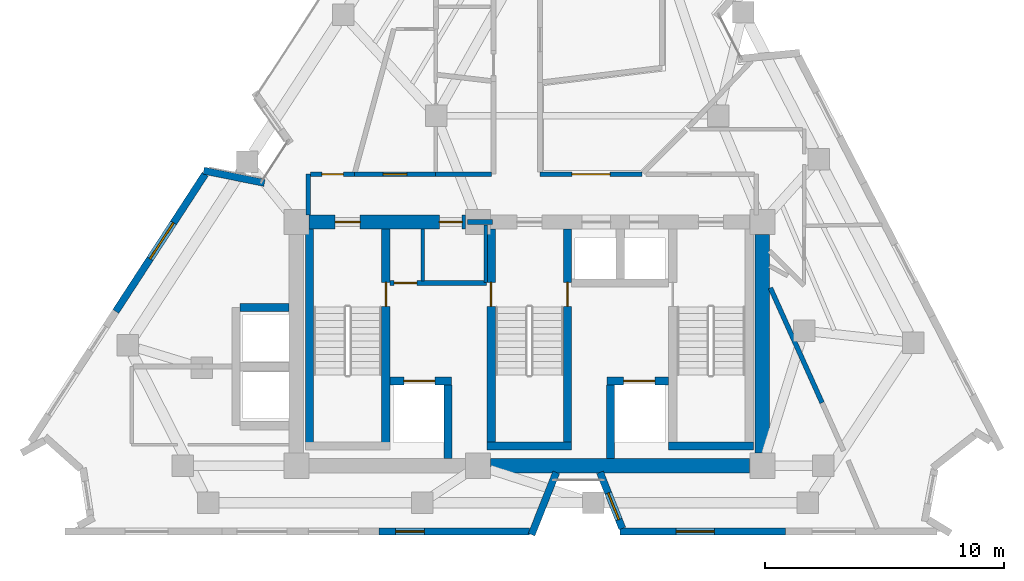
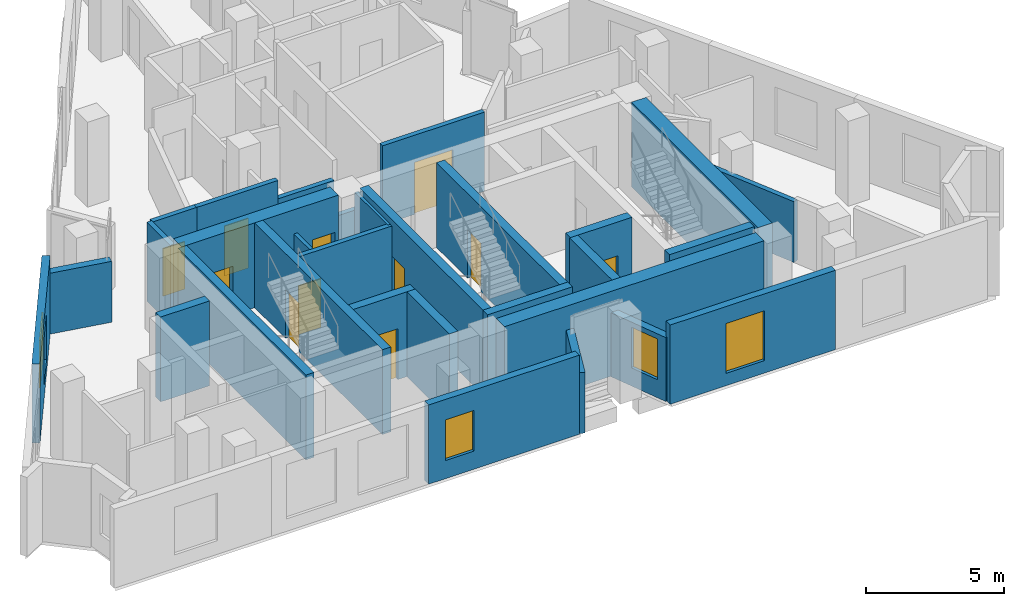
# One storey, part 5 of 9: 30 walls, 11 doors, 4 windows, 15 openings.
"""IFC4 building model written with IfcOpenShell, lengths in metres."""

from ifc_helpers import new_model, si_unit, direction, frame, frame_2d, origin, place, context, subcontext, project, spatial, rectangle, extrude, material, layer, layer_set, type_object, element, fill, save


model = new_model("IFC4")

# Units and contexts
model_context = context("Model", 3, precision=1e-05, world=origin(), true_north=direction((0.0, 1.0)))
body_context = subcontext(model_context, "Body", "Model", "MODEL_VIEW")
ifc_project = project(units=[si_unit("LENGTHUNIT", "METRE"), si_unit("AREAUNIT", "SQUARE_METRE"), si_unit("VOLUMEUNIT", "CUBIC_METRE"), si_unit("PLANEANGLEUNIT", "RADIAN"), si_unit("MASSUNIT", "GRAM", prefix="KILO")], contexts=[model_context])

# Site, building, storey
site_placement = place(None, origin())
site = spatial("IfcSite", under=ifc_project, at=site_placement, CompositionType="ELEMENT")
building_placement = place(site_placement, origin())
building = spatial("IfcBuilding", under=site, at=building_placement, Name="Almagre Mirador Tower", CompositionType="ELEMENT")
storey_placement = place(building_placement, frame((0.0, 0.0, 210.75)))
storey = spatial("IfcBuildingStorey", under=building, at=storey_placement, Name="L54", CompositionType="ELEMENT", Elevation=210.75)

# Wall
ifc_material_1 = material(Name="Precast concrete C50/60", Category="concrete")
ifc_layer_1 = layer(ifc_material_1, 0.300048828125)
ifc_layer_set_1 = layer_set([ifc_layer_1], Name="Precast concrete C50/60")
wall_type_1 = type_object("IfcWallType", Name="WAL-EXT-300", PredefinedType="SOLIDWALL", material=ifc_layer_set_1)
wall_1_placement = place(storey_placement, frame((23.67578125, 16.899658203125, 0.0), z_axis=(0.0, 0.0, 1.0), x_axis=(0.980377387813, -0.197129849249, 0.0)))
element("IfcWall", 1, at=wall_1_placement, inside=storey, type_object=wall_type_1, Name="L54 expressed almagre precast frame wall 01", PredefinedType="SOLIDWALL", context=body_context, shape_type="SweptSolid", body=[
    extrude(rectangle(XDim=2.59326171875, YDim=0.300048828125, at=frame_2d((1.296630859375, 0.0))), origin(), (0.0, 0.0, 1.0), 2.68994140625),
])

# Wall, opening, window
wall_2_placement = place(storey_placement, frame((48.02197265625, 1.800048828125, 0.0), z_axis=(0.0, 0.0, 1.0), x_axis=(-1.0, 0.0, 0.0)))
wall_2 = element("IfcWall", 2, at=wall_2_placement, inside=storey, type_object=wall_type_1, Name="L54 expressed almagre precast frame wall 21", PredefinedType="SOLIDWALL", context=body_context, shape_type="SweptSolid", body=[
    extrude(rectangle(XDim=6.91796875, YDim=0.300048828125, at=frame_2d((3.458984375, 0.0))), origin(), (0.0, 0.0, 1.0), 3.5),
])
opening_1_placement = place(wall_2_placement, frame((2.97509765625, 0.0, 0.550048828125)))
opening_1 = element("IfcOpeningElement", 3, at=opening_1_placement, cuts=wall_2, Name="Opening WN-06", PredefinedType="OPENING", context=body_context, shape_type="SweptSolid", body=[
    extrude(rectangle(XDim=1.60009765625, YDim=2.199951171875, at=frame_2d((0.800048828125, 1.10009765625))), frame((0.0, 0.159902, 0.0), z_axis=(0.0, -1.0, 0.0), x_axis=(1.0, 0.0, 0.0)), (0.0, 0.0, 1.0), 0.320049),
])
ifc_material_2 = material(Name="Dark solar-control laminated hurricane glass", Category="glass")
window_type_1 = type_object("IfcWindowType", Name="WIN-1600X2200", PartitioningType="DOUBLE_PANEL_VERTICAL", PredefinedType="WINDOW", material=ifc_material_2)
window_1_placement = place(opening_1_placement, origin())
window_1 = element("IfcWindow", 4, at=window_1_placement, inside=storey, type_object=window_type_1, Name="L54 recessed hurricane window L54-UB-KT", OverallHeight=2.199951171875, OverallWidth=1.60009765625, PartitioningType="SINGLE_PANEL", PredefinedType="WINDOW", context=body_context, shape_type="SweptSolid", body=[
    extrude(rectangle(XDim=1.60009765625, YDim=2.199951171875, at=frame_2d((0.800048828125, 1.10009765625))), frame((0.0, 0.030029296875, 0.0), z_axis=(0.0, -1.0, 0.0), x_axis=(1.0, 0.0, 0.0)), (0.0, 0.0, 1.0), 0.06005859375),
])
fill(opening_1, window_1)

wall_3_placement = place(storey_placement, frame((41.194091796875, 1.92529296875, 0.0), z_axis=(0.0, 0.0, 1.0), x_axis=(-0.369457562636, 0.929247603931, 0.0)))
wall_3 = element("IfcWall", 5, at=wall_3_placement, inside=storey, type_object=wall_type_1, Name="L54 expressed almagre precast frame wall 22", PredefinedType="SOLIDWALL", context=body_context, shape_type="SweptSolid", body=[
    extrude(rectangle(XDim=2.52685546875, YDim=0.300048828125, at=frame_2d((1.263427734375, 0.0))), origin(), (0.0, 0.0, 1.0), 2.824951171875),
])
opening_2_placement = place(wall_3_placement, frame((0.39990234375, 0.0, 0.800048828125)))
opening_2 = element("IfcOpeningElement", 6, at=opening_2_placement, cuts=wall_3, Name="Opening WN-04", PredefinedType="OPENING", context=body_context, shape_type="SweptSolid", body=[
    extrude(rectangle(XDim=1.199951171875, YDim=1.800048828125, at=frame_2d((0.60009765625, 0.89990234375))), frame((0.0, 0.159902, 0.0), z_axis=(0.0, -1.0, 0.0), x_axis=(1.0, 0.0, 0.0)), (0.0, 0.0, 1.0), 0.320049),
])
ifc_material_3 = material(Name="Dark solar-control laminated hurricane glass", Category="glass")
window_type_2 = type_object("IfcWindowType", Name="WIN-1200X1800", PartitioningType="SINGLE_PANEL", PredefinedType="WINDOW", material=ifc_material_3)
window_2_placement = place(opening_2_placement, origin())
window_2 = element("IfcWindow", 7, at=window_2_placement, inside=storey, type_object=window_type_2, Name="L54 recessed hurricane window L54-UB-KT", OverallHeight=1.800048828125, OverallWidth=1.199951171875, PartitioningType="SINGLE_PANEL", PredefinedType="WINDOW", context=body_context, shape_type="SweptSolid", body=[
    extrude(rectangle(XDim=1.199951171875, YDim=1.800048828125, at=frame_2d((0.60009765625, 0.89990234375))), frame((0.0, 0.030029296875, 0.0), z_axis=(0.0, -1.0, 0.0), x_axis=(1.0, 0.0, 0.0)), (0.0, 0.0, 1.0), 0.06005859375),
])
fill(opening_2, window_2)

# Wall
wall_4_placement = place(storey_placement, frame((38.427490234375, 4.2734375, 0.0), z_axis=(0.0, 0.0, 1.0), x_axis=(-0.369466825356, -0.929243921132, 0.0)))
element("IfcWall", 8, at=wall_4_placement, inside=storey, type_object=wall_type_1, Name="L54 expressed almagre precast frame wall 23", PredefinedType="SOLIDWALL", context=body_context, shape_type="SweptSolid", body=[
    extrude(rectangle(XDim=2.8017578125, YDim=0.300048828125, at=frame_2d((1.40087890625, 0.0))), origin(), (0.0, 0.0, 1.0), 2.68994140625),
])

# Wall, opening, window
wall_5_placement = place(storey_placement, frame((37.30908203125, 1.800048828125, 0.0), z_axis=(0.0, 0.0, 1.0), x_axis=(-1.0, 0.0, 0.0)))
wall_5 = element("IfcWall", 9, at=wall_5_placement, inside=storey, type_object=wall_type_1, Name="L54 expressed almagre precast frame wall 24", PredefinedType="SOLIDWALL", context=body_context, shape_type="SweptSolid", body=[
    extrude(rectangle(XDim=6.2998046875, YDim=0.300048828125, at=frame_2d((3.14990234375, 0.0))), origin(), (0.0, 0.0, 1.0), 3.5),
])
opening_3_placement = place(wall_5_placement, frame((4.39990234375, 0.0, 0.800048828125)))
opening_3 = element("IfcOpeningElement", 10, at=opening_3_placement, cuts=wall_5, Name="Opening WN-04", PredefinedType="OPENING", context=body_context, shape_type="SweptSolid", body=[
    extrude(rectangle(XDim=1.199951171875, YDim=1.800048828125, at=frame_2d((0.60009765625, 0.89990234375))), frame((0.0, 0.159902, 0.0), z_axis=(0.0, -1.0, 0.0), x_axis=(1.0, 0.0, 0.0)), (0.0, 0.0, 1.0), 0.320049),
])
window_3_placement = place(opening_3_placement, origin())
window_3 = element("IfcWindow", 11, at=window_3_placement, inside=storey, type_object=window_type_2, Name="L54 recessed hurricane window L54-UA-MB", OverallHeight=1.800048828125, OverallWidth=1.199951171875, PartitioningType="SINGLE_PANEL", PredefinedType="WINDOW", context=body_context, shape_type="SweptSolid", body=[
    extrude(rectangle(XDim=1.199951171875, YDim=1.800048828125, at=frame_2d((0.60009765625, 0.89990234375))), frame((0.0, 0.030029296875, 0.0), z_axis=(0.0, -1.0, 0.0), x_axis=(1.0, 0.0, 0.0)), (0.0, 0.0, 1.0), 0.06005859375),
])
fill(opening_3, window_3)

wall_6_placement = place(storey_placement, frame((19.99755859375, 11.011962890625, 0.0), z_axis=(0.0, 0.0, 1.0), x_axis=(0.545631860444, 0.838024983439, 0.0)))
wall_6 = element("IfcWall", 12, at=wall_6_placement, inside=storey, type_object=wall_type_1, Name="L54 expressed almagre precast frame wall 32", PredefinedType="SOLIDWALL", context=body_context, shape_type="SweptSolid", body=[
    extrude(rectangle(XDim=6.8525390625, YDim=0.300048828125, at=frame_2d((3.42626953125, 0.0))), origin(), (0.0, 0.0, 1.0), 3.5),
])
opening_4_placement = place(wall_6_placement, frame((2.625, 0.0, 0.60009765625)))
opening_4 = element("IfcOpeningElement", 13, at=opening_4_placement, cuts=wall_6, Name="Opening WN-01", PredefinedType="OPENING", context=body_context, shape_type="SweptSolid", body=[
    extrude(rectangle(XDim=1.800048828125, YDim=2.10009765625, at=frame_2d((0.89990234375, 1.050048828125))), frame((0.0, 0.159902, 0.0), z_axis=(0.0, -1.0, 0.0), x_axis=(1.0, 0.0, 0.0)), (0.0, 0.0, 1.0), 0.320049),
])
ifc_material_4 = material(Name="Dark solar-control laminated hurricane glass", Category="glass")
window_type_3 = type_object("IfcWindowType", Name="WIN-1800X2100", PartitioningType="DOUBLE_PANEL_VERTICAL", PredefinedType="WINDOW", material=ifc_material_4)
window_4_placement = place(opening_4_placement, origin())
window_4 = element("IfcWindow", 14, at=window_4_placement, inside=storey, type_object=window_type_3, Name="L54 recessed hurricane window L54-UD-ST", OverallHeight=2.10009765625, OverallWidth=1.800048828125, PartitioningType="SINGLE_PANEL", PredefinedType="WINDOW", context=body_context, shape_type="SweptSolid", body=[
    extrude(rectangle(XDim=1.800048828125, YDim=2.10009765625, at=frame_2d((0.89990234375, 1.050048828125))), frame((0.0, 0.030029296875, 0.0), z_axis=(0.0, -1.0, 0.0), x_axis=(1.0, 0.0, 0.0)), (0.0, 0.0, 1.0), 0.06005859375),
])
fill(opening_4, window_4)

# Wall
ifc_material_5 = material(Name="Gypsum acoustic stud partition", Category="other")
ifc_layer_2 = layer(ifc_material_5, 0.199951171875)
ifc_layer_set_2 = layer_set([ifc_layer_2], Name="Gypsum acoustic stud partition")
wall_type_2 = type_object("IfcWallType", Name="WAL-PRT-200-EI60", PredefinedType="PARTITIONING", material=ifc_layer_set_2)
wall_7_placement = place(storey_placement, frame((34.719970703125, 14.75, 0.0), z_axis=(0.0, 0.0, 1.0), x_axis=(1.0, 0.0, 0.0)))
element("IfcWall", 15, at=wall_7_placement, inside=storey, type_object=wall_type_2, Name="L54 core north closure wall", PredefinedType="PARTITIONING", context=body_context, shape_type="SweptSolid", body=[
    extrude(rectangle(XDim=1.030029296875, YDim=0.199951171875, at=frame_2d((0.51513671875, 0.0))), origin(), (0.0, 0.0, 1.0), 2.68505859375),
])

# Wall, opening, door
wall_8_placement = place(storey_placement, frame((31.47998046875, 12.199951171875, 0.0), z_axis=(0.0, 0.0, 1.0), x_axis=(1.0, 0.0, 0.0)))
wall_8 = element("IfcWall", 16, at=wall_8_placement, inside=storey, type_object=wall_type_2, Name="L54 FFL-1 north enclosure wall", PredefinedType="PARTITIONING", context=body_context, shape_type="SweptSolid", body=[
    extrude(rectangle(XDim=4.024658203125, YDim=0.199951171875, at=frame_2d((2.01220703125, 0.0))), origin(), (0.0, 0.0, 1.0), 3.5),
])
opening_5_placement = place(wall_8_placement, frame((0.1650390625, 0.0, 0.0)))
opening_5 = element("IfcOpeningElement", 17, at=opening_5_placement, cuts=wall_8, Name="Opening ID-02", PredefinedType="OPENING", context=body_context, shape_type="SweptSolid", body=[
    extrude(rectangle(XDim=0.949951171875, YDim=2.14990234375, at=frame_2d((0.47509765625, 1.074951171875))), frame((0.0, 0.110098, 0.0), z_axis=(0.0, -1.0, 0.0), x_axis=(1.0, 0.0, 0.0)), (0.0, 0.0, 1.0), 0.219951),
])
ifc_material_6 = material(Name="Fire-rated walnut timber", Category="wood")
door_type_1 = type_object("IfcDoorType", Name="DOR-FD60-950X2150", OperationType="NOTDEFINED", PredefinedType="DOOR", material=ifc_material_6)
door_1_placement = place(opening_5_placement, origin())
door_1 = element("IfcDoor", 18, at=door_1_placement, inside=storey, type_object=door_type_1, Name="DR-1670 L54 FFL-1 north smoke door", OperationType="SINGLE_SWING_LEFT", OverallHeight=2.14990234375, OverallWidth=0.949951171875, PredefinedType="DOOR", context=body_context, shape_type="SweptSolid", body=[
    extrude(rectangle(XDim=0.949951171875, YDim=2.14990234375, at=frame_2d((0.47509765625, 1.074951171875))), frame((0.0, 0.02490234375, 0.0), z_axis=(0.0, -1.0, 0.0), x_axis=(1.0, 0.0, 0.0)), (0.0, 0.0, 1.0), 0.050048828125),
])
fill(opening_5, door_1)

# Walls
wall_9_placement = place(storey_placement, frame((32.840087890625, 12.284912109375, 0.0), z_axis=(0.0, 0.0, 1.0), x_axis=(0.0, 1.0, 0.0)))
element("IfcWall", 19, at=wall_9_placement, inside=storey, type_object=wall_type_2, Name="L54 core riser west wall", PredefinedType="PARTITIONING", context=body_context, shape_type="SweptSolid", body=[
    extrude(rectangle(XDim=2.18017578125, YDim=0.14990234375, at=frame_2d((1.090087890625, 0.0))), origin(), (0.0, 0.0, 1.0), 2.68505859375),
])
wall_10_placement = place(storey_placement, frame((35.47998046875, 12.219970703125, 0.0), z_axis=(0.0, 0.0, 1.0), x_axis=(0.0, 1.0, 0.0)))
element("IfcWall", 20, at=wall_10_placement, inside=storey, type_object=wall_type_2, Name="L54 core riser east wall", PredefinedType="PARTITIONING", context=body_context, shape_type="SweptSolid", body=[
    extrude(rectangle(XDim=2.396240234375, YDim=0.14990234375, at=frame_2d((1.1982421875, 0.0))), origin(), (0.0, 0.0, 1.0), 3.5),
])
wall_11_placement = place(storey_placement, frame((28.050048828125, 16.75, 0.0), z_axis=(0.0, 0.0, 1.0), x_axis=(0.0, -1.0, 0.0)))
element("IfcWall", 21, at=wall_11_placement, inside=storey, type_object=wall_type_2, Name="L54 interior partition 001", PredefinedType="PARTITIONING", context=body_context, shape_type="SweptSolid", body=[
    extrude(rectangle(XDim=1.699951171875, YDim=0.199951171875, at=frame_2d((0.85009765625, 0.0))), origin(), (0.0, 0.0, 1.0), 3.5),
])

# Wall, opening, door
wall_12_placement = place(storey_placement, frame((29.97998046875, 16.75, 0.0), z_axis=(0.0, 0.0, 1.0), x_axis=(-1.0, 0.0, 0.0)))
wall_12 = element("IfcWall", 22, at=wall_12_placement, inside=storey, type_object=wall_type_2, Name="L54 interior partition 004", PredefinedType="PARTITIONING", context=body_context, shape_type="SweptSolid", body=[
    extrude(rectangle(XDim=1.844970703125, YDim=0.199951171875, at=frame_2d((0.92236328125, 0.0))), origin(), (0.0, 0.0, 1.0), 3.5),
])
opening_6_placement = place(wall_12_placement, frame((0.46142578125, 0.0, 0.0)))
opening_6 = element("IfcOpeningElement", 23, at=opening_6_placement, cuts=wall_12, Name="Opening ID-03", PredefinedType="OPENING", context=body_context, shape_type="SweptSolid", body=[
    extrude(rectangle(XDim=0.89990234375, YDim=2.10009765625, at=frame_2d((0.449951171875, 1.050048828125))), frame((0.0, 0.110098, 0.0), z_axis=(0.0, -1.0, 0.0), x_axis=(1.0, 0.0, 0.0)), (0.0, 0.0, 1.0), 0.219951),
])
ifc_material_7 = material(Name="Fire-rated hollow steel", Category="steel")
door_type_2 = type_object("IfcDoorType", Name="DOR-FD60-900X2100", OperationType="NOTDEFINED", PredefinedType="DOOR", material=ifc_material_7)
door_2_placement = place(opening_6_placement, origin())
door_2 = element("IfcDoor", 24, at=door_2_placement, inside=storey, type_object=door_type_2, Name="DR-1675 L54 interior door L54-RCOR to L54-RST-F", OperationType="SINGLE_SWING_LEFT", OverallHeight=2.10009765625, OverallWidth=0.89990234375, PredefinedType="DOOR", context=body_context, shape_type="SweptSolid", body=[
    extrude(rectangle(XDim=0.89990234375, YDim=2.10009765625, at=frame_2d((0.449951171875, 1.050048828125))), frame((0.0, 0.02490234375, 0.0), z_axis=(0.0, -1.0, 0.0), x_axis=(1.0, 0.0, 0.0)), (0.0, 0.0, 1.0), 0.050048828125),
])
fill(opening_6, door_2)

wall_13_placement = place(storey_placement, frame((33.3798828125, 16.75, 0.0), z_axis=(0.0, 0.0, 1.0), x_axis=(-1.0, 0.0, 0.0)))
wall_13 = element("IfcWall", 25, at=wall_13_placement, inside=storey, type_object=wall_type_2, Name="L54 interior partition 005", PredefinedType="PARTITIONING", context=body_context, shape_type="SweptSolid", body=[
    extrude(rectangle(XDim=3.39990234375, YDim=0.199951171875, at=frame_2d((1.699951171875, 0.0))), origin(), (0.0, 0.0, 1.0), 3.5),
])
opening_7_placement = place(wall_13_placement, frame((1.199951171875, 0.0, 0.0)))
opening_7 = element("IfcOpeningElement", 26, at=opening_7_placement, cuts=wall_13, Name="Opening ID-01", PredefinedType="OPENING", context=body_context, shape_type="SweptSolid", body=[
    extrude(rectangle(XDim=1.0, YDim=2.199951171875, at=frame_2d((0.5, 1.10009765625))), frame((0.0, 0.110098, 0.0), z_axis=(0.0, -1.0, 0.0), x_axis=(1.0, 0.0, 0.0)), (0.0, 0.0, 1.0), 0.219951),
])
ifc_material_8 = material(Name="Fire-rated walnut timber", Category="wood")
door_type_3 = type_object("IfcDoorType", Name="DOR-FD60-1000X2200", OperationType="NOTDEFINED", PredefinedType="DOOR", material=ifc_material_8)
door_3_placement = place(opening_7_placement, origin())
door_3 = element("IfcDoor", 27, at=door_3_placement, inside=storey, type_object=door_type_3, Name="DR-1680 L54 interior door L54-RCOR to L54-UG-ST", OperationType="SINGLE_SWING_RIGHT", OverallHeight=2.199951171875, OverallWidth=1.0, PredefinedType="DOOR", context=body_context, shape_type="SweptSolid", body=[
    extrude(rectangle(XDim=1.0, YDim=2.199951171875, at=frame_2d((0.5, 1.10009765625))), frame((0.0, 0.02490234375, 0.0), z_axis=(0.0, -1.0, 0.0), x_axis=(1.0, 0.0, 0.0)), (0.0, 0.0, 1.0), 0.050048828125),
])
fill(opening_7, door_3)

# Wall
wall_14_placement = place(storey_placement, frame((35.715087890625, 16.75, 0.0), z_axis=(0.0, 0.0, 1.0), x_axis=(-1.0, 0.0, 0.0)))
element("IfcWall", 28, at=wall_14_placement, inside=storey, type_object=wall_type_2, Name="L54 interior partition 007", PredefinedType="PARTITIONING", context=body_context, shape_type="SweptSolid", body=[
    extrude(rectangle(XDim=2.335205078125, YDim=0.199951171875, at=frame_2d((1.16748046875, 0.0))), origin(), (0.0, 0.0, 1.0), 2.68505859375),
])

# Wall, opening, door
wall_15_placement = place(storey_placement, frame((42.010009765625, 16.75, 0.0), z_axis=(0.0, 0.0, 1.0), x_axis=(-1.0, 0.0, 0.0)))
wall_15 = element("IfcWall", 29, at=wall_15_placement, inside=storey, type_object=wall_type_2, Name="L54 interior partition 013", PredefinedType="PARTITIONING", context=body_context, shape_type="SweptSolid", body=[
    extrude(rectangle(XDim=4.260009765625, YDim=0.199951171875, at=frame_2d((2.1298828125, 0.0))), origin(), (0.0, 0.0, 1.0), 3.5),
])
opening_8_placement = place(wall_15_placement, frame((1.330078125, 0.0, 0.0)))
opening_8 = element("IfcOpeningElement", 30, at=opening_8_placement, cuts=wall_15, Name="Opening ID-05", PredefinedType="OPENING", context=body_context, shape_type="SweptSolid", body=[
    extrude(rectangle(XDim=1.60009765625, YDim=2.300048828125, at=frame_2d((0.800048828125, 1.14990234375))), frame((0.0, 0.110098, 0.0), z_axis=(0.0, -1.0, 0.0), x_axis=(1.0, 0.0, 0.0)), (0.0, 0.0, 1.0), 0.219951),
])
ifc_material_9 = material(Name="Fire-rated acoustic timber", Category="wood")
door_type_4 = type_object("IfcDoorType", Name="DOR-FD60-1600X2300", OperationType="DOUBLE_DOOR_SINGLE_SWING", PredefinedType="DOOR", material=ifc_material_9)
door_4_placement = place(opening_8_placement, origin())
door_4 = element("IfcDoor", 31, at=door_4_placement, inside=storey, type_object=door_type_4, Name="DR-1676 L54 interior door L54-RCOR to L54-RST-K", OperationType="DOUBLE_DOOR_SINGLE_SWING", OverallHeight=2.300048828125, OverallWidth=1.60009765625, PredefinedType="DOOR", context=body_context, shape_type="SweptSolid", body=[
    extrude(rectangle(XDim=1.60009765625, YDim=2.300048828125, at=frame_2d((0.800048828125, 1.14990234375))), frame((0.0, 0.02490234375, 0.0), z_axis=(0.0, -1.0, 0.0), x_axis=(1.0, 0.0, 0.0)), (0.0, 0.0, 1.0), 0.050048828125),
])
fill(opening_8, door_4)

# Walls
wall_16_placement = place(storey_placement, frame((49.550048828125, 7.18994140625, 0.0), z_axis=(0.0, 0.0, 1.0), x_axis=(-0.410297221829, 0.91195185715, 0.0)))
element("IfcWall", 32, at=wall_16_placement, inside=storey, type_object=wall_type_2, Name="L54 interior partition 028", PredefinedType="PARTITIONING", context=body_context, shape_type="SweptSolid", body=[
    extrude(rectangle(XDim=5.267333984375, YDim=0.199951171875, at=frame_2d((2.6337890625, 0.0))), origin(), (0.0, 0.0, 1.0), 2.68505859375),
])
ifc_material_10 = material(Name="Concrete C60/75", Category="concrete")
ifc_layer_3 = layer(ifc_material_10, 0.35009765625)
ifc_layer_set_3 = layer_set([ifc_layer_3], Name="Concrete C60/75")
wall_type_3 = type_object("IfcWallType", Name="WAL-SHF-350", PredefinedType="SOLIDWALL", material=ifc_layer_set_3)
wall_17_placement = place(storey_placement, frame((28.10009765625, 5.199951171875, 0.0), z_axis=(0.0, 0.0, 1.0), x_axis=(0.0, 1.0, 0.0)))
element("IfcWall", 33, at=wall_17_placement, inside=storey, type_object=wall_type_3, Name="L54 shaft wall ST1-W", PredefinedType="SOLIDWALL", context=body_context, shape_type="SweptSolid", body=[
    extrude(rectangle(XDim=9.25, YDim=0.35009765625, at=frame_2d((4.625, 0.0))), origin(), (0.0, 0.0, 1.0), 3.75),
])

# Wall, opening, door
wall_18_placement = place(storey_placement, frame((31.300048828125, 5.199951171875, 0.0), z_axis=(0.0, 0.0, 1.0), x_axis=(0.0, 1.0, 0.0)))
wall_18 = element("IfcWall", 34, at=wall_18_placement, inside=storey, type_object=wall_type_3, Name="L54 shaft wall ST1-E", PredefinedType="SOLIDWALL", context=body_context, shape_type="SweptSolid", body=[
    extrude(rectangle(XDim=9.25, YDim=0.35009765625, at=frame_2d((4.625, 0.0))), origin(), (0.0, 0.0, 1.0), 3.75),
])
opening_9_placement = place(wall_18_placement, frame((6.02001953125, 0.0, 0.0)))
opening_9 = element("IfcOpeningElement", 35, at=opening_9_placement, cuts=wall_18, Name="Opening FD-01", PredefinedType="OPENING", context=body_context, shape_type="SweptSolid", body=[
    extrude(rectangle(XDim=1.0, YDim=2.14990234375, at=frame_2d((0.5, 1.074951171875))), frame((0.0, 0.185049, 0.0), z_axis=(0.0, -1.0, 0.0), x_axis=(1.0, 0.0, 0.0)), (0.0, 0.0, 1.0), 0.370098),
])
ifc_material_11 = material(Name="Fire-rated hollow steel", Category="steel")
door_type_5 = type_object("IfcDoorType", Name="DOR-FFL-1000X2150", OperationType="NOTDEFINED", PredefinedType="DOOR", material=ifc_material_11)
door_5_placement = place(opening_9_placement, origin())
door_5 = element("IfcDoor", 36, at=door_5_placement, inside=storey, type_object=door_type_5, Name="DR-1671 L54 FFL1-ST1 smokeproof door", OperationType="SINGLE_SWING_LEFT", OverallHeight=2.14990234375, OverallWidth=1.0, PredefinedType="DOOR", context=body_context, shape_type="SweptSolid", body=[
    extrude(rectangle(XDim=1.0, YDim=2.14990234375, at=frame_2d((0.5, 1.074951171875))), frame((0.0, 0.02490234375, 0.0), z_axis=(0.0, -1.0, 0.0), x_axis=(1.0, 0.0, 0.0)), (0.0, 0.0, 1.0), 0.050048828125),
])
fill(opening_9, door_5)

wall_19_placement = place(storey_placement, frame((35.699951171875, 5.199951171875, 0.0), z_axis=(0.0, 0.0, 1.0), x_axis=(0.0, 1.0, 0.0)))
wall_19 = element("IfcWall", 37, at=wall_19_placement, inside=storey, type_object=wall_type_3, Name="L54 shaft wall ST2-W", PredefinedType="SOLIDWALL", context=body_context, shape_type="SweptSolid", body=[
    extrude(rectangle(XDim=9.25, YDim=0.35009765625, at=frame_2d((4.625, 0.0))), origin(), (0.0, 0.0, 1.0), 3.75),
])
opening_10_placement = place(wall_19_placement, frame((6.02001953125, 0.0, 0.0)))
opening_10 = element("IfcOpeningElement", 38, at=opening_10_placement, cuts=wall_19, Name="Opening FD-01", PredefinedType="OPENING", context=body_context, shape_type="SweptSolid", body=[
    extrude(rectangle(XDim=1.0, YDim=2.14990234375, at=frame_2d((0.5, 1.074951171875))), frame((0.0, 0.185049, 0.0), z_axis=(0.0, -1.0, 0.0), x_axis=(1.0, 0.0, 0.0)), (0.0, 0.0, 1.0), 0.370098),
])
door_6_placement = place(opening_10_placement, origin())
door_6 = element("IfcDoor", 39, at=door_6_placement, inside=storey, type_object=door_type_5, Name="DR-1672 L54 FFL1-ST2 smokeproof door", OperationType="SINGLE_SWING_RIGHT", OverallHeight=2.14990234375, OverallWidth=1.0, PredefinedType="DOOR", context=body_context, shape_type="SweptSolid", body=[
    extrude(rectangle(XDim=1.0, YDim=2.14990234375, at=frame_2d((0.5, 1.074951171875))), frame((0.0, 0.02490234375, 0.0), z_axis=(0.0, -1.0, 0.0), x_axis=(1.0, 0.0, 0.0)), (0.0, 0.0, 1.0), 0.050048828125),
])
fill(opening_10, door_6)

wall_20_placement = place(storey_placement, frame((38.89990234375, 5.199951171875, 0.0), z_axis=(0.0, 0.0, 1.0), x_axis=(0.0, 1.0, 0.0)))
wall_20 = element("IfcWall", 40, at=wall_20_placement, inside=storey, type_object=wall_type_3, Name="L54 shaft wall ST2-E", PredefinedType="SOLIDWALL", context=body_context, shape_type="SweptSolid", body=[
    extrude(rectangle(XDim=9.25, YDim=0.35009765625, at=frame_2d((4.625, 0.0))), origin(), (0.0, 0.0, 1.0), 3.75),
])
opening_11_placement = place(wall_20_placement, frame((6.02001953125, 0.0, 0.0)))
opening_11 = element("IfcOpeningElement", 41, at=opening_11_placement, cuts=wall_20, Name="Opening FD-01", PredefinedType="OPENING", context=body_context, shape_type="SweptSolid", body=[
    extrude(rectangle(XDim=1.0, YDim=2.14990234375, at=frame_2d((0.5, 1.074951171875))), frame((0.0, 0.185049, 0.0), z_axis=(0.0, -1.0, 0.0), x_axis=(1.0, 0.0, 0.0)), (0.0, 0.0, 1.0), 0.370098),
])
door_7_placement = place(opening_11_placement, origin())
door_7 = element("IfcDoor", 42, at=door_7_placement, inside=storey, type_object=door_type_5, Name="DR-1673 L54 FFL2-ST2 smokeproof door", OperationType="SINGLE_SWING_LEFT", OverallHeight=2.14990234375, OverallWidth=1.0, PredefinedType="DOOR", context=body_context, shape_type="SweptSolid", body=[
    extrude(rectangle(XDim=1.0, YDim=2.14990234375, at=frame_2d((0.5, 1.074951171875))), frame((0.0, 0.02490234375, 0.0), z_axis=(0.0, -1.0, 0.0), x_axis=(1.0, 0.0, 0.0)), (0.0, 0.0, 1.0), 0.050048828125),
])
fill(opening_11, door_7)

# Walls
for number, where, z_axis, x_axis, name in (
    (43, (35.52490234375, 5.375, 0.0), (0.0, 0.0, 1.0), (1.0, 0.0, 0.0), "L54 shaft wall ST2-S"),
    (44, (43.125, 5.375, 0.0), (0.0, 0.0, 1.0), (1.0, 0.0, 0.0), "L54 shaft wall ST3-S"),
):
    element("IfcWall", number, at=place(storey_placement, frame(where, z_axis=z_axis, x_axis=x_axis)), inside=storey, type_object=wall_type_3, Name=name, PredefinedType="SOLIDWALL", context=body_context, shape_type="SweptSolid", body=[
        extrude(rectangle(XDim=3.550048828125, YDim=0.35009765625, at=frame_2d((1.77490234375, 0.0))), origin(), (0.0, 0.0, 1.0), 3.75),
    ])

# Wall, opening, door
wall_21_placement = place(storey_placement, frame((31.47509765625, 8.10009765625, 0.0), z_axis=(0.0, 0.0, 1.0), x_axis=(1.0, 0.0, 0.0)))
wall_21 = element("IfcWall", 45, at=wall_21_placement, inside=storey, type_object=wall_type_3, Name="L54 shaft wall FSAE1-N", PredefinedType="SOLIDWALL", context=body_context, shape_type="SweptSolid", body=[
    extrude(rectangle(XDim=2.574951171875, YDim=0.35009765625, at=frame_2d((1.28759765625, 0.0))), origin(), (0.0, 0.0, 1.0), 3.75),
])
opening_12_placement = place(wall_21_placement, frame((0.574951171875, 0.0, 0.0)))
opening_12 = element("IfcOpeningElement", 46, at=opening_12_placement, cuts=wall_21, Name="Opening LD-03", PredefinedType="OPENING", context=body_context, shape_type="SweptSolid", body=[
    extrude(rectangle(XDim=1.300048828125, YDim=2.25, at=frame_2d((0.64990234375, 1.125))), frame((0.0, 0.185049, 0.0), z_axis=(0.0, -1.0, 0.0), x_axis=(1.0, 0.0, 0.0)), (0.0, 0.0, 1.0), 0.370098),
])
ifc_material_12 = material(Name="Hollow stainless steel", Category="steel")
door_type_6 = type_object("IfcDoorType", Name="DOR-LD-1300X2250", OperationType="DOUBLE_DOOR_SLIDING", PredefinedType="DOOR", material=ifc_material_12)
door_8_placement = place(opening_12_placement, origin())
door_8 = element("IfcDoor", 47, at=door_8_placement, inside=storey, type_object=door_type_6, Name="DR-1691 L54 FSAE-1 lift landing door", OperationType="DOUBLE_DOOR_SLIDING", OverallHeight=2.25, OverallWidth=1.300048828125, PredefinedType="DOOR", context=body_context, shape_type="SweptSolid", body=[
    extrude(rectangle(XDim=1.300048828125, YDim=2.25, at=frame_2d((0.64990234375, 1.125))), frame((0.0, 0.02490234375, 0.0), z_axis=(0.0, -1.0, 0.0), x_axis=(1.0, 0.0, 0.0)), (0.0, 0.0, 1.0), 0.050048828125),
])
fill(opening_12, door_8)

wall_22_placement = place(storey_placement, frame((40.550048828125, 8.10009765625, 0.0), z_axis=(0.0, 0.0, 1.0), x_axis=(1.0, 0.0, 0.0)))
wall_22 = element("IfcWall", 48, at=wall_22_placement, inside=storey, type_object=wall_type_3, Name="L54 shaft wall FSAE2-N", PredefinedType="SOLIDWALL", context=body_context, shape_type="SweptSolid", body=[
    extrude(rectangle(XDim=2.574951171875, YDim=0.35009765625, at=frame_2d((1.28759765625, 0.0))), origin(), (0.0, 0.0, 1.0), 3.75),
])
opening_13_placement = place(wall_22_placement, frame((0.699951171875, 0.0, 0.0)))
opening_13 = element("IfcOpeningElement", 49, at=opening_13_placement, cuts=wall_22, Name="Opening LD-03", PredefinedType="OPENING", context=body_context, shape_type="SweptSolid", body=[
    extrude(rectangle(XDim=1.300048828125, YDim=2.25, at=frame_2d((0.64990234375, 1.125))), frame((0.0, 0.185049, 0.0), z_axis=(0.0, -1.0, 0.0), x_axis=(1.0, 0.0, 0.0)), (0.0, 0.0, 1.0), 0.370098),
])
door_9_placement = place(opening_13_placement, origin())
door_9 = element("IfcDoor", 50, at=door_9_placement, inside=storey, type_object=door_type_6, Name="DR-1692 L54 FSAE-2 lift landing door", OperationType="DOUBLE_DOOR_SLIDING", OverallHeight=2.25, OverallWidth=1.300048828125, PredefinedType="DOOR", context=body_context, shape_type="SweptSolid", body=[
    extrude(rectangle(XDim=1.300048828125, YDim=2.25, at=frame_2d((0.64990234375, 1.125))), frame((0.0, 0.02490234375, 0.0), z_axis=(0.0, -1.0, 0.0), x_axis=(1.0, 0.0, 0.0)), (0.0, 0.0, 1.0), 0.050048828125),
])
fill(opening_13, door_9)

# Walls
for number, where, z_axis, x_axis, name in (
    (51, (33.89990234375, 4.85009765625, 0.0), (0.0, 0.0, 1.0), (0.0, 1.0, 0.0), "L54 shaft wall FSAE1-E"),
    (52, (40.699951171875, 4.85009765625, 0.0), (0.0, 0.0, 1.0), (0.0, 1.0, 0.0), "L54 shaft wall FSAE2-W"),
):
    element("IfcWall", number, at=place(storey_placement, frame(where, z_axis=z_axis, x_axis=x_axis)), inside=storey, type_object=wall_type_3, Name=name, PredefinedType="SOLIDWALL", context=body_context, shape_type="SweptSolid", body=[
        extrude(rectangle(XDim=3.074951171875, YDim=0.35009765625, at=frame_2d((1.53759765625, 0.0))), origin(), (0.0, 0.0, 1.0), 3.75),
    ])
wall_23_placement = place(storey_placement, frame((25.199951171875, 11.175048828125, 0.0), z_axis=(0.0, 0.0, 1.0), x_axis=(1.0, 0.0, 0.0)))
element("IfcWall", 53, at=wall_23_placement, inside=storey, type_object=wall_type_3, Name="L54 shaft wall OL-N", PredefinedType="SOLIDWALL", context=body_context, shape_type="SweptSolid", body=[
    extrude(rectangle(XDim=2.050048828125, YDim=0.35009765625, at=frame_2d((1.02490234375, 0.0))), origin(), (0.0, 0.0, 1.0), 3.75),
])
ifc_material_13 = material(Name="Concrete C60/75", Category="concrete")
ifc_layer_4 = layer(ifc_material_13, 0.60009765625)
ifc_layer_set_4 = layer_set([ifc_layer_4], Name="Concrete C60/75")
wall_type_4 = type_object("IfcWallType", Name="WAL-SHR-600", PredefinedType="SHEAR", material=ifc_layer_set_4)
wall_24_placement = place(storey_placement, frame((35.675048828125, 4.550048828125, 0.0), z_axis=(0.0, 0.0, 1.0), x_axis=(1.0, 0.0, 0.0)))
element("IfcWall", 54, at=wall_24_placement, inside=storey, type_object=wall_type_4, Name="L54 core shear wall S2", PredefinedType="SHEAR", context=body_context, shape_type="SweptSolid", body=[
    extrude(rectangle(XDim=10.849853515625, YDim=0.60009765625, at=frame_2d((5.4248046875, 0.0))), origin(), (0.0, 0.0, 1.0), 3.75),
])

# Wall, openings, doors
wall_25_placement = place(storey_placement, frame((28.074951171875, 14.75, 0.0), z_axis=(0.0, 0.0, 1.0), x_axis=(1.0, 0.0, 0.0)))
wall_25 = element("IfcWall", 55, at=wall_25_placement, inside=storey, type_object=wall_type_4, Name="L54 core shear wall N1", PredefinedType="SHEAR", context=body_context, shape_type="SweptSolid", body=[
    extrude(rectangle(XDim=6.550048828125, YDim=0.60009765625, at=frame_2d((3.27490234375, 0.0))), origin(), (0.0, 0.0, 1.0), 3.75),
])
opening_14_placement = place(wall_25_placement, frame((1.10009765625, 0.0, 0.0)))
opening_14 = element("IfcOpeningElement", 56, at=opening_14_placement, cuts=wall_25, Name="Opening SD-01", PredefinedType="OPENING", context=body_context, shape_type="SweptSolid", body=[
    extrude(rectangle(XDim=1.050048828125, YDim=2.14990234375, at=frame_2d((0.52490234375, 1.074951171875))), frame((0.0, 0.310049, 0.0), z_axis=(0.0, -1.0, 0.0), x_axis=(1.0, 0.0, 0.0)), (0.0, 0.0, 1.0), 0.620098),
])
opening_15_placement = place(wall_25_placement, frame((5.4599609375, 0.0, 0.0)))
opening_15 = element("IfcOpeningElement", 57, at=opening_15_placement, cuts=wall_25, Name="Opening FD-02", PredefinedType="OPENING", context=body_context, shape_type="SweptSolid", body=[
    extrude(rectangle(XDim=0.949951171875, YDim=2.14990234375, at=frame_2d((0.47509765625, 1.074951171875))), frame((0.0, 0.310049, 0.0), z_axis=(0.0, -1.0, 0.0), x_axis=(1.0, 0.0, 0.0)), (0.0, 0.0, 1.0), 0.620098),
])
ifc_material_14 = material(Name="Fire-rated hollow steel", Category="steel")
door_type_7 = type_object("IfcDoorType", Name="DOR-FD90-950X2150", OperationType="NOTDEFINED", PredefinedType="DOOR", material=ifc_material_14)
door_10_placement = place(opening_15_placement, origin())
door_10 = element("IfcDoor", 58, at=door_10_placement, inside=storey, type_object=door_type_7, Name="DR-1669 L54 core equipment room north door", OperationType="SINGLE_SWING_LEFT", OverallHeight=2.14990234375, OverallWidth=0.949951171875, PredefinedType="DOOR", context=body_context, shape_type="SweptSolid", body=[
    extrude(rectangle(XDim=0.949951171875, YDim=2.14990234375, at=frame_2d((0.47509765625, 1.074951171875))), frame((0.0, 0.02490234375, 0.0), z_axis=(0.0, -1.0, 0.0), x_axis=(1.0, 0.0, 0.0)), (0.0, 0.0, 1.0), 0.050048828125),
])
fill(opening_15, door_10)
ifc_material_15 = material(Name="Fire-rated hollow steel", Category="steel")
door_type_8 = type_object("IfcDoorType", Name="DOR-ST-1050X2150", OperationType="NOTDEFINED", PredefinedType="DOOR", material=ifc_material_15)
door_11_placement = place(opening_14_placement, origin())
door_11 = element("IfcDoor", 59, at=door_11_placement, inside=storey, type_object=door_type_8, Name="DR-1695 L54 protected exit stair ST-1 door", OperationType="SINGLE_SWING_RIGHT", OverallHeight=2.14990234375, OverallWidth=1.050048828125, PredefinedType="DOOR", context=body_context, shape_type="SweptSolid", body=[
    extrude(rectangle(XDim=1.050048828125, YDim=2.14990234375, at=frame_2d((0.52490234375, 1.074951171875))), frame((0.0, 0.02490234375, 0.0), z_axis=(0.0, -1.0, 0.0), x_axis=(1.0, 0.0, 0.0)), (0.0, 0.0, 1.0), 0.050048828125),
])
fill(opening_14, door_11)

# Wall
wall_26_placement = place(storey_placement, frame((47.050048828125, 5.074951171875, 0.0), z_axis=(0.0, 0.0, 1.0), x_axis=(0.0, 1.0, 0.0)))
element("IfcWall", 60, at=wall_26_placement, inside=storey, type_object=wall_type_4, Name="L54 core shear wall E1", PredefinedType="SHEAR", context=body_context, shape_type="SweptSolid", body=[
    extrude(rectangle(XDim=9.150146484375, YDim=0.60009765625, at=frame_2d((4.5751953125, 0.0))), origin(), (0.0, 0.0, 1.0), 3.75),
])

save(model, "model.ifc")
